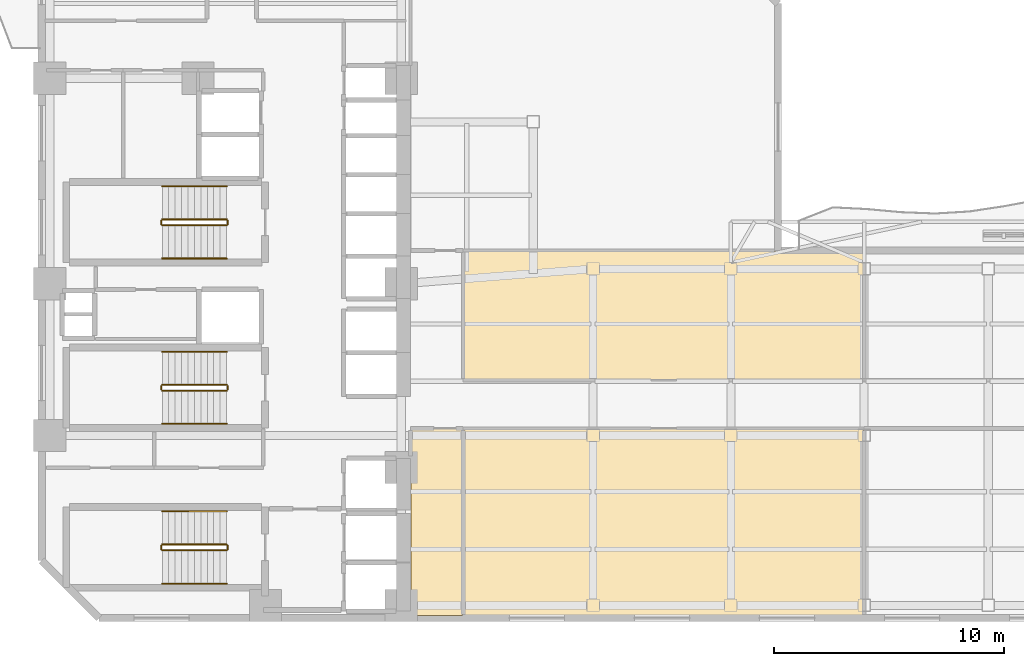
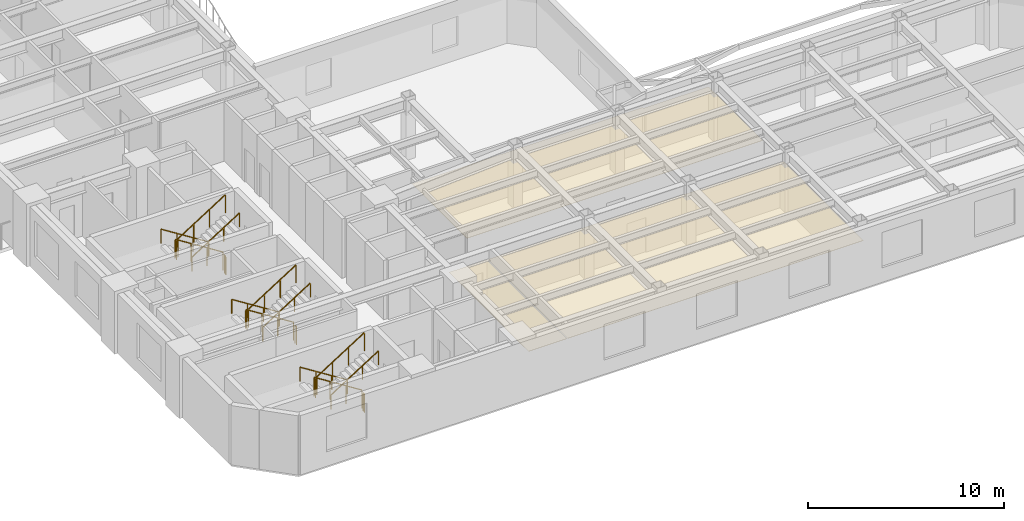
# One storey, part 8 of 10: 18 railings, 3 coverings.
"""IFC4 building model written with IfcOpenShell, lengths in metres."""

from ifc_helpers import new_model, si_unit, direction, frame, origin, origin_2d, place, context, subcontext, project, spatial, polyline, rectangle, outline, extrude, material, layer, layer_set, type_object, element, save


model = new_model("IFC4")

# Units and contexts
model_context = context("Model", 3, precision=1e-05, world=origin(), true_north=direction((0.0, 1.0)))
body_context = subcontext(model_context, "Body", "Model", "MODEL_VIEW")
ifc_project = project(units=[si_unit("LENGTHUNIT", "METRE"), si_unit("AREAUNIT", "SQUARE_METRE"), si_unit("VOLUMEUNIT", "CUBIC_METRE"), si_unit("PLANEANGLEUNIT", "RADIAN"), si_unit("MASSUNIT", "GRAM", prefix="KILO")], contexts=[model_context])

# Site, building, storey
site_placement = place(None, origin())
site = spatial("IfcSite", under=ifc_project, at=site_placement, CompositionType="ELEMENT")
building_placement = place(site_placement, origin())
building = spatial("IfcBuilding", under=site, at=building_placement, Name="Mawjaban Terraces University", CompositionType="ELEMENT")
storey_placement = place(building_placement, frame((0.0, 0.0, 46.60009765625)))
storey = spatial("IfcBuildingStorey", under=building, at=storey_placement, Name="L10", CompositionType="ELEMENT", Elevation=46.60009765625)

# Coverings
ifc_material_1 = material(Name="Acoustic mineral fibre ceiling tile", Category="masonry")
ifc_layer = layer(ifc_material_1, 0.02001953125)
ifc_layer_set = layer_set([ifc_layer], Name="Acoustic mineral fibre ceiling tile")
covering_type = type_object("IfcCoveringType", Name="AcousticMineralCeiling_20", PredefinedType="CEILING", material=ifc_layer_set)
covering_1_placement = place(storey_placement, frame((0.0, 0.0, 2.75)))
element("IfcCovering", 1, at=covering_1_placement, inside=storey, type_object=covering_type, Name="L10 Design Studio 1 Acoustic Ceiling", PredefinedType="CEILING", context=body_context, shape_type="SweptSolid", body=[
    extrude(outline(polyline([(38.080078125, 0.114990234375), (40.320068359375, 0.114990234375), (40.320068359375, 8.219970703125), (38.080078125, 8.219970703125), (38.080078125, 0.114990234375)])), origin(), (0.0, 0.0, 1.0), 0.02001953125),
])
covering_2_placement = place(storey_placement, frame((0.0, 0.0, 2.75)))
element("IfcCovering", 2, at=covering_2_placement, inside=storey, type_object=covering_type, Name="L10 Computational Laboratory 2 Acoustic Ceiling", PredefinedType="CEILING", context=body_context, shape_type="SweptSolid", body=[
    extrude(outline(polyline([(40.3798828125, 0.114990234375), (57.77001953125, 0.114990234375), (57.77001953125, 8.219970703125), (40.3798828125, 8.219970703125), (40.3798828125, 0.114990234375)])), origin(), (0.0, 0.0, 1.0), 0.02001953125),
])
covering_3_placement = place(storey_placement, frame((0.0, 0.0, 2.75)))
element("IfcCovering", 3, at=covering_3_placement, inside=storey, type_object=covering_type, Name="L10 Teaching Laboratory 3 Acoustic Ceiling", PredefinedType="CEILING", context=body_context, shape_type="SweptSolid", body=[
    extrude(outline(polyline([(57.77001953125, 15.885009765625), (53.93505859375, 15.885009765625), (53.93505859375, 15.969970703125), (40.3798828125, 15.969970703125), (40.3798828125, 10.3798828125), (57.77001953125, 10.3798828125), (57.77001953125, 15.885009765625)])), origin(), (0.0, 0.0, 1.0), 0.02001953125),
])

# Railings
ifc_material_2 = material(Name="Brushed stainless steel 316", Category="steel")
railing_type_1 = type_object("IfcRailingType", Name="StairWallHandrail_900", PredefinedType="HANDRAIL", material=ifc_material_2)
railing_1_placement = place(storey_placement, frame((30.050048828125, 4.64990234375, 0.17724609375)))
element("IfcRailing", 4, at=railing_1_placement, inside=storey, type_object=railing_type_1, Name="L10 ST-1 stair handrail 1", PredefinedType="HANDRAIL", context=body_context, shape_type="SweptSolid", body=[
    extrude(rectangle(XDim=0.048095703125, YDim=0.048095703125, at=origin_2d()), frame((0.0, 0.0, 0.8759765625), z_axis=(-0.844908973607, 0.0, 0.534910110503), x_axis=(0.0, -1.0, 0.0)), (0.0, 0.0, 1.0), 3.31396484375),
    extrude(rectangle(XDim=0.0419921875, YDim=0.0419921875, at=origin_2d()), origin(), (0.0, 0.0, 1.0), 0.851806640625),
    extrude(rectangle(XDim=0.0419921875, YDim=0.0419921875, at=origin_2d()), frame((-0.933349609375, 0.0, 0.5908203125)), (0.0, 0.0, 1.0), 0.851806640625),
    extrude(rectangle(XDim=0.0419921875, YDim=0.0419921875, at=origin_2d()), frame((-1.86669921875, 0.0, 1.181884765625)), (0.0, 0.0, 1.0), 0.851806640625),
    extrude(rectangle(XDim=0.0419921875, YDim=0.0419921875, at=origin_2d()), frame((-2.800048828125, 0.0, 1.772705078125)), (0.0, 0.0, 1.0), 0.851806640625),
])
railing_2_placement = place(storey_placement, frame((27.25, 1.5, 2.127197265625)))
element("IfcRailing", 5, at=railing_2_placement, inside=storey, type_object=railing_type_1, Name="L10 ST-1 stair handrail 2", PredefinedType="HANDRAIL", context=body_context, shape_type="SweptSolid", body=[
    extrude(rectangle(XDim=0.048095703125, YDim=0.048095703125, at=origin_2d()), frame((0.0, 0.0, 0.8759765625), z_axis=(0.844908973607, 0.0, 0.534910110503), x_axis=(0.0, 1.0, 0.0)), (0.0, 0.0, 1.0), 3.31396484375),
    extrude(rectangle(XDim=0.0419921875, YDim=0.0419921875, at=origin_2d()), origin(), (0.0, 0.0, 1.0), 0.851806640625),
    extrude(rectangle(XDim=0.0419921875, YDim=0.0419921875, at=origin_2d()), frame((0.933349609375, 0.0, 0.5908203125)), (0.0, 0.0, 1.0), 0.851806640625),
    extrude(rectangle(XDim=0.0419921875, YDim=0.0419921875, at=origin_2d()), frame((1.86669921875, 0.0, 1.181884765625)), (0.0, 0.0, 1.0), 0.851806640625),
    extrude(rectangle(XDim=0.0419921875, YDim=0.0419921875, at=origin_2d()), frame((2.800048828125, 0.0, 1.772705078125)), (0.0, 0.0, 1.0), 0.851806640625),
])
railing_3_placement = place(storey_placement, frame((30.050048828125, 18.800048828125, 0.17724609375)))
element("IfcRailing", 6, at=railing_3_placement, inside=storey, type_object=railing_type_1, Name="L10 ST-2 stair handrail 1", PredefinedType="HANDRAIL", context=body_context, shape_type="SweptSolid", body=[
    extrude(rectangle(XDim=0.048095703125, YDim=0.048095703125, at=origin_2d()), frame((0.0, 0.0, 0.8759765625), z_axis=(-0.844908973607, 0.0, 0.534910110503), x_axis=(0.0, -1.0, 0.0)), (0.0, 0.0, 1.0), 3.31396484375),
    extrude(rectangle(XDim=0.0419921875, YDim=0.0419921875, at=origin_2d()), origin(), (0.0, 0.0, 1.0), 0.851806640625),
    extrude(rectangle(XDim=0.0419921875, YDim=0.0419921875, at=origin_2d()), frame((-0.933349609375, 0.0, 0.5908203125)), (0.0, 0.0, 1.0), 0.851806640625),
    extrude(rectangle(XDim=0.0419921875, YDim=0.0419921875, at=origin_2d()), frame((-1.86669921875, 0.0, 1.181884765625)), (0.0, 0.0, 1.0), 0.851806640625),
    extrude(rectangle(XDim=0.0419921875, YDim=0.0419921875, at=origin_2d()), frame((-2.800048828125, 0.0, 1.772705078125)), (0.0, 0.0, 1.0), 0.851806640625),
])
railing_4_placement = place(storey_placement, frame((27.25, 15.64990234375, 2.127197265625)))
element("IfcRailing", 7, at=railing_4_placement, inside=storey, type_object=railing_type_1, Name="L10 ST-2 stair handrail 2", PredefinedType="HANDRAIL", context=body_context, shape_type="SweptSolid", body=[
    extrude(rectangle(XDim=0.048095703125, YDim=0.048095703125, at=origin_2d()), frame((0.0, 0.0, 0.8759765625), z_axis=(0.844908973607, 0.0, 0.534910110503), x_axis=(0.0, 1.0, 0.0)), (0.0, 0.0, 1.0), 3.31396484375),
    extrude(rectangle(XDim=0.0419921875, YDim=0.0419921875, at=origin_2d()), origin(), (0.0, 0.0, 1.0), 0.851806640625),
    extrude(rectangle(XDim=0.0419921875, YDim=0.0419921875, at=origin_2d()), frame((0.933349609375, 0.0, 0.5908203125)), (0.0, 0.0, 1.0), 0.851806640625),
    extrude(rectangle(XDim=0.0419921875, YDim=0.0419921875, at=origin_2d()), frame((1.86669921875, 0.0, 1.181884765625)), (0.0, 0.0, 1.0), 0.851806640625),
    extrude(rectangle(XDim=0.0419921875, YDim=0.0419921875, at=origin_2d()), frame((2.800048828125, 0.0, 1.772705078125)), (0.0, 0.0, 1.0), 0.851806640625),
])
railing_5_placement = place(storey_placement, frame((30.050048828125, 11.60009765625, 0.17724609375)))
element("IfcRailing", 8, at=railing_5_placement, inside=storey, type_object=railing_type_1, Name="L10 ST-3 stair handrail 1", PredefinedType="HANDRAIL", context=body_context, shape_type="SweptSolid", body=[
    extrude(rectangle(XDim=0.048095703125, YDim=0.048095703125, at=origin_2d()), frame((0.0, 0.0, 0.8759765625), z_axis=(-0.844908973607, 0.0, 0.534910110503), x_axis=(0.0, -1.0, 0.0)), (0.0, 0.0, 1.0), 3.31396484375),
    extrude(rectangle(XDim=0.0419921875, YDim=0.0419921875, at=origin_2d()), origin(), (0.0, 0.0, 1.0), 0.851806640625),
    extrude(rectangle(XDim=0.0419921875, YDim=0.0419921875, at=origin_2d()), frame((-0.933349609375, 0.0, 0.5908203125)), (0.0, 0.0, 1.0), 0.851806640625),
    extrude(rectangle(XDim=0.0419921875, YDim=0.0419921875, at=origin_2d()), frame((-1.86669921875, 0.0, 1.181884765625)), (0.0, 0.0, 1.0), 0.851806640625),
    extrude(rectangle(XDim=0.0419921875, YDim=0.0419921875, at=origin_2d()), frame((-2.800048828125, 0.0, 1.772705078125)), (0.0, 0.0, 1.0), 0.851806640625),
])
railing_6_placement = place(storey_placement, frame((27.25, 8.449951171875, 2.127197265625)))
element("IfcRailing", 9, at=railing_6_placement, inside=storey, type_object=railing_type_1, Name="L10 ST-3 stair handrail 2", PredefinedType="HANDRAIL", context=body_context, shape_type="SweptSolid", body=[
    extrude(rectangle(XDim=0.048095703125, YDim=0.048095703125, at=origin_2d()), frame((0.0, 0.0, 0.8759765625), z_axis=(0.844908973607, 0.0, 0.534910110503), x_axis=(0.0, 1.0, 0.0)), (0.0, 0.0, 1.0), 3.31396484375),
    extrude(rectangle(XDim=0.0419921875, YDim=0.0419921875, at=origin_2d()), origin(), (0.0, 0.0, 1.0), 0.851806640625),
    extrude(rectangle(XDim=0.0419921875, YDim=0.0419921875, at=origin_2d()), frame((0.933349609375, 0.0, 0.5908203125)), (0.0, 0.0, 1.0), 0.851806640625),
    extrude(rectangle(XDim=0.0419921875, YDim=0.0419921875, at=origin_2d()), frame((1.86669921875, 0.0, 1.181884765625)), (0.0, 0.0, 1.0), 0.851806640625),
    extrude(rectangle(XDim=0.0419921875, YDim=0.0419921875, at=origin_2d()), frame((2.800048828125, 0.0, 1.772705078125)), (0.0, 0.0, 1.0), 0.851806640625),
])
ifc_material_3 = material(Name="Galvanised painted steel S355", Category="steel")
railing_type_2 = type_object("IfcRailingType", Name="StairWellGuard_1150", PredefinedType="BALUSTRADE", material=ifc_material_3)
railing_7_placement = place(storey_placement, frame((30.050048828125, 3.199951171875, 0.17724609375)))
element("IfcRailing", 10, at=railing_7_placement, inside=storey, type_object=railing_type_2, Name="L10 ST-1 stair guard 1", PredefinedType="BALUSTRADE", context=body_context, shape_type="SweptSolid", body=[
    extrude(rectangle(XDim=0.048095703125, YDim=0.048095703125, at=origin_2d()), frame((0.0, 0.0, 1.1259765625), z_axis=(-0.844908973607, 0.0, 0.534910110503), x_axis=(0.0, -1.0, 0.0)), (0.0, 0.0, 1.0), 3.31396484375),
    extrude(rectangle(XDim=0.0419921875, YDim=0.0419921875, at=origin_2d()), origin(), (0.0, 0.0, 1.0), 1.101806640625),
    extrude(rectangle(XDim=0.0419921875, YDim=0.0419921875, at=origin_2d()), frame((-0.933349609375, 0.0, 0.5908203125)), (0.0, 0.0, 1.0), 1.101806640625),
    extrude(rectangle(XDim=0.0419921875, YDim=0.0419921875, at=origin_2d()), frame((-1.86669921875, 0.0, 1.181884765625)), (0.0, 0.0, 1.0), 1.101806640625),
    extrude(rectangle(XDim=0.0419921875, YDim=0.0419921875, at=origin_2d()), frame((-2.800048828125, 0.0, 1.772705078125)), (0.0, 0.0, 1.0), 1.101806640625),
])
railing_8_placement = place(storey_placement, frame((27.199951171875, 3.14990234375, 1.949951171875)))
element("IfcRailing", 11, at=railing_8_placement, inside=storey, type_object=railing_type_2, Name="L10 ST-1 stair guard 2", PredefinedType="BALUSTRADE", context=body_context, shape_type="SweptSolid", body=[
    extrude(rectangle(XDim=0.048095703125, YDim=0.048095703125, at=origin_2d()), frame((0.0, 0.0, 1.1259765625), z_axis=(0.0, -1.0, 0.0), x_axis=(1.0, 0.0, 0.0)), (0.0, 0.0, 1.0), 0.14990234375),
    extrude(rectangle(XDim=0.0419921875, YDim=0.0419921875, at=origin_2d()), origin(), (0.0, 0.0, 1.0), 1.101806640625),
    extrude(rectangle(XDim=0.0419921875, YDim=0.0419921875, at=origin_2d()), frame((0.0, -0.14990234375, 0.0)), (0.0, 0.0, 1.0), 1.101806640625),
])
railing_9_placement = place(storey_placement, frame((27.25, 2.949951171875, 2.127197265625)))
element("IfcRailing", 12, at=railing_9_placement, inside=storey, type_object=railing_type_2, Name="L10 ST-1 stair guard 3", PredefinedType="BALUSTRADE", context=body_context, shape_type="SweptSolid", body=[
    extrude(rectangle(XDim=0.048095703125, YDim=0.048095703125, at=origin_2d()), frame((0.0, 0.0, 1.1259765625), z_axis=(0.844908973607, 0.0, 0.534910110503), x_axis=(0.0, 1.0, 0.0)), (0.0, 0.0, 1.0), 3.31396484375),
    extrude(rectangle(XDim=0.0419921875, YDim=0.0419921875, at=origin_2d()), origin(), (0.0, 0.0, 1.0), 1.101806640625),
    extrude(rectangle(XDim=0.0419921875, YDim=0.0419921875, at=origin_2d()), frame((0.933349609375, 0.0, 0.5908203125)), (0.0, 0.0, 1.0), 1.101806640625),
    extrude(rectangle(XDim=0.0419921875, YDim=0.0419921875, at=origin_2d()), frame((1.86669921875, 0.0, 1.181884765625)), (0.0, 0.0, 1.0), 1.101806640625),
    extrude(rectangle(XDim=0.0419921875, YDim=0.0419921875, at=origin_2d()), frame((2.800048828125, 0.0, 1.772705078125)), (0.0, 0.0, 1.0), 1.101806640625),
])
railing_10_placement = place(storey_placement, frame((30.10009765625, 3.14990234375, 0.0)))
element("IfcRailing", 13, at=railing_10_placement, inside=storey, type_object=railing_type_2, Name="L10 ST-1 stair guard 4", PredefinedType="BALUSTRADE", context=body_context, shape_type="SweptSolid", body=[
    extrude(rectangle(XDim=0.048095703125, YDim=0.048095703125, at=origin_2d()), frame((0.0, 0.0, 1.1259765625), z_axis=(0.0, -1.0, 0.0), x_axis=(1.0, 0.0, 0.0)), (0.0, 0.0, 1.0), 0.14990234375),
    extrude(rectangle(XDim=0.0419921875, YDim=0.0419921875, at=origin_2d()), origin(), (0.0, 0.0, 1.0), 1.101806640625),
    extrude(rectangle(XDim=0.0419921875, YDim=0.0419921875, at=origin_2d()), frame((0.0, -0.14990234375, 0.0)), (0.0, 0.0, 1.0), 1.101806640625),
])
railing_11_placement = place(storey_placement, frame((30.050048828125, 17.35009765625, 0.17724609375)))
element("IfcRailing", 14, at=railing_11_placement, inside=storey, type_object=railing_type_2, Name="L10 ST-2 stair guard 1", PredefinedType="BALUSTRADE", context=body_context, shape_type="SweptSolid", body=[
    extrude(rectangle(XDim=0.048095703125, YDim=0.048095703125, at=origin_2d()), frame((0.0, 0.0, 1.1259765625), z_axis=(-0.844908973607, 0.0, 0.534910110503), x_axis=(0.0, -1.0, 0.0)), (0.0, 0.0, 1.0), 3.31396484375),
    extrude(rectangle(XDim=0.0419921875, YDim=0.0419921875, at=origin_2d()), origin(), (0.0, 0.0, 1.0), 1.101806640625),
    extrude(rectangle(XDim=0.0419921875, YDim=0.0419921875, at=origin_2d()), frame((-0.933349609375, 0.0, 0.5908203125)), (0.0, 0.0, 1.0), 1.101806640625),
    extrude(rectangle(XDim=0.0419921875, YDim=0.0419921875, at=origin_2d()), frame((-1.86669921875, 0.0, 1.181884765625)), (0.0, 0.0, 1.0), 1.101806640625),
    extrude(rectangle(XDim=0.0419921875, YDim=0.0419921875, at=origin_2d()), frame((-2.800048828125, 0.0, 1.772705078125)), (0.0, 0.0, 1.0), 1.101806640625),
])
railing_12_placement = place(storey_placement, frame((27.199951171875, 17.300048828125, 1.949951171875)))
element("IfcRailing", 15, at=railing_12_placement, inside=storey, type_object=railing_type_2, Name="L10 ST-2 stair guard 2", PredefinedType="BALUSTRADE", context=body_context, shape_type="SweptSolid", body=[
    extrude(rectangle(XDim=0.048095703125, YDim=0.048095703125, at=origin_2d()), frame((0.0, 0.0, 1.1259765625), z_axis=(0.0, -1.0, 0.0), x_axis=(1.0, 0.0, 0.0)), (0.0, 0.0, 1.0), 0.150146484375),
    extrude(rectangle(XDim=0.0419921875, YDim=0.0419921875, at=origin_2d()), origin(), (0.0, 0.0, 1.0), 1.101806640625),
    extrude(rectangle(XDim=0.0419921875, YDim=0.0419921875, at=origin_2d()), frame((0.0, -0.150146484375, 0.0)), (0.0, 0.0, 1.0), 1.101806640625),
])
railing_13_placement = place(storey_placement, frame((27.25, 17.10009765625, 2.127197265625)))
element("IfcRailing", 16, at=railing_13_placement, inside=storey, type_object=railing_type_2, Name="L10 ST-2 stair guard 3", PredefinedType="BALUSTRADE", context=body_context, shape_type="SweptSolid", body=[
    extrude(rectangle(XDim=0.048095703125, YDim=0.048095703125, at=origin_2d()), frame((0.0, 0.0, 1.1259765625), z_axis=(0.844908973607, 0.0, 0.534910110503), x_axis=(0.0, 1.0, 0.0)), (0.0, 0.0, 1.0), 3.31396484375),
    extrude(rectangle(XDim=0.0419921875, YDim=0.0419921875, at=origin_2d()), origin(), (0.0, 0.0, 1.0), 1.101806640625),
    extrude(rectangle(XDim=0.0419921875, YDim=0.0419921875, at=origin_2d()), frame((0.933349609375, 0.0, 0.5908203125)), (0.0, 0.0, 1.0), 1.101806640625),
    extrude(rectangle(XDim=0.0419921875, YDim=0.0419921875, at=origin_2d()), frame((1.86669921875, 0.0, 1.181884765625)), (0.0, 0.0, 1.0), 1.101806640625),
    extrude(rectangle(XDim=0.0419921875, YDim=0.0419921875, at=origin_2d()), frame((2.800048828125, 0.0, 1.772705078125)), (0.0, 0.0, 1.0), 1.101806640625),
])
railing_14_placement = place(storey_placement, frame((30.10009765625, 17.300048828125, 0.0)))
element("IfcRailing", 17, at=railing_14_placement, inside=storey, type_object=railing_type_2, Name="L10 ST-2 stair guard 4", PredefinedType="BALUSTRADE", context=body_context, shape_type="SweptSolid", body=[
    extrude(rectangle(XDim=0.048095703125, YDim=0.048095703125, at=origin_2d()), frame((0.0, 0.0, 1.1259765625), z_axis=(0.0, -1.0, 0.0), x_axis=(1.0, 0.0, 0.0)), (0.0, 0.0, 1.0), 0.150146484375),
    extrude(rectangle(XDim=0.0419921875, YDim=0.0419921875, at=origin_2d()), origin(), (0.0, 0.0, 1.0), 1.101806640625),
    extrude(rectangle(XDim=0.0419921875, YDim=0.0419921875, at=origin_2d()), frame((0.0, -0.150146484375, 0.0)), (0.0, 0.0, 1.0), 1.101806640625),
])
railing_15_placement = place(storey_placement, frame((30.050048828125, 10.14990234375, 0.17724609375)))
element("IfcRailing", 18, at=railing_15_placement, inside=storey, type_object=railing_type_2, Name="L10 ST-3 stair guard 1", PredefinedType="BALUSTRADE", context=body_context, shape_type="SweptSolid", body=[
    extrude(rectangle(XDim=0.048095703125, YDim=0.048095703125, at=origin_2d()), frame((0.0, 0.0, 1.1259765625), z_axis=(-0.844908973607, 0.0, 0.534910110503), x_axis=(0.0, -1.0, 0.0)), (0.0, 0.0, 1.0), 3.31396484375),
    extrude(rectangle(XDim=0.0419921875, YDim=0.0419921875, at=origin_2d()), origin(), (0.0, 0.0, 1.0), 1.101806640625),
    extrude(rectangle(XDim=0.0419921875, YDim=0.0419921875, at=origin_2d()), frame((-0.933349609375, 0.0, 0.5908203125)), (0.0, 0.0, 1.0), 1.101806640625),
    extrude(rectangle(XDim=0.0419921875, YDim=0.0419921875, at=origin_2d()), frame((-1.86669921875, 0.0, 1.181884765625)), (0.0, 0.0, 1.0), 1.101806640625),
    extrude(rectangle(XDim=0.0419921875, YDim=0.0419921875, at=origin_2d()), frame((-2.800048828125, 0.0, 1.772705078125)), (0.0, 0.0, 1.0), 1.101806640625),
])
railing_16_placement = place(storey_placement, frame((27.199951171875, 10.10009765625, 1.949951171875)))
element("IfcRailing", 19, at=railing_16_placement, inside=storey, type_object=railing_type_2, Name="L10 ST-3 stair guard 2", PredefinedType="BALUSTRADE", context=body_context, shape_type="SweptSolid", body=[
    extrude(rectangle(XDim=0.048095703125, YDim=0.048095703125, at=origin_2d()), frame((0.0, 0.0, 1.1259765625), z_axis=(0.0, -1.0, 0.0), x_axis=(1.0, 0.0, 0.0)), (0.0, 0.0, 1.0), 0.150146484375),
    extrude(rectangle(XDim=0.0419921875, YDim=0.0419921875, at=origin_2d()), origin(), (0.0, 0.0, 1.0), 1.101806640625),
    extrude(rectangle(XDim=0.0419921875, YDim=0.0419921875, at=origin_2d()), frame((0.0, -0.150146484375, 0.0)), (0.0, 0.0, 1.0), 1.101806640625),
])
railing_17_placement = place(storey_placement, frame((27.25, 9.89990234375, 2.127197265625)))
element("IfcRailing", 20, at=railing_17_placement, inside=storey, type_object=railing_type_2, Name="L10 ST-3 stair guard 3", PredefinedType="BALUSTRADE", context=body_context, shape_type="SweptSolid", body=[
    extrude(rectangle(XDim=0.048095703125, YDim=0.048095703125, at=origin_2d()), frame((0.0, 0.0, 1.1259765625), z_axis=(0.844908973607, 0.0, 0.534910110503), x_axis=(0.0, 1.0, 0.0)), (0.0, 0.0, 1.0), 3.31396484375),
    extrude(rectangle(XDim=0.0419921875, YDim=0.0419921875, at=origin_2d()), origin(), (0.0, 0.0, 1.0), 1.101806640625),
    extrude(rectangle(XDim=0.0419921875, YDim=0.0419921875, at=origin_2d()), frame((0.933349609375, 0.0, 0.5908203125)), (0.0, 0.0, 1.0), 1.101806640625),
    extrude(rectangle(XDim=0.0419921875, YDim=0.0419921875, at=origin_2d()), frame((1.86669921875, 0.0, 1.181884765625)), (0.0, 0.0, 1.0), 1.101806640625),
    extrude(rectangle(XDim=0.0419921875, YDim=0.0419921875, at=origin_2d()), frame((2.800048828125, 0.0, 1.772705078125)), (0.0, 0.0, 1.0), 1.101806640625),
])
railing_18_placement = place(storey_placement, frame((30.10009765625, 10.10009765625, 0.0)))
element("IfcRailing", 21, at=railing_18_placement, inside=storey, type_object=railing_type_2, Name="L10 ST-3 stair guard 4", PredefinedType="BALUSTRADE", context=body_context, shape_type="SweptSolid", body=[
    extrude(rectangle(XDim=0.048095703125, YDim=0.048095703125, at=origin_2d()), frame((0.0, 0.0, 1.1259765625), z_axis=(0.0, -1.0, 0.0), x_axis=(1.0, 0.0, 0.0)), (0.0, 0.0, 1.0), 0.150146484375),
    extrude(rectangle(XDim=0.0419921875, YDim=0.0419921875, at=origin_2d()), origin(), (0.0, 0.0, 1.0), 1.101806640625),
    extrude(rectangle(XDim=0.0419921875, YDim=0.0419921875, at=origin_2d()), frame((0.0, -0.150146484375, 0.0)), (0.0, 0.0, 1.0), 1.101806640625),
])

save(model, "model.ifc")
